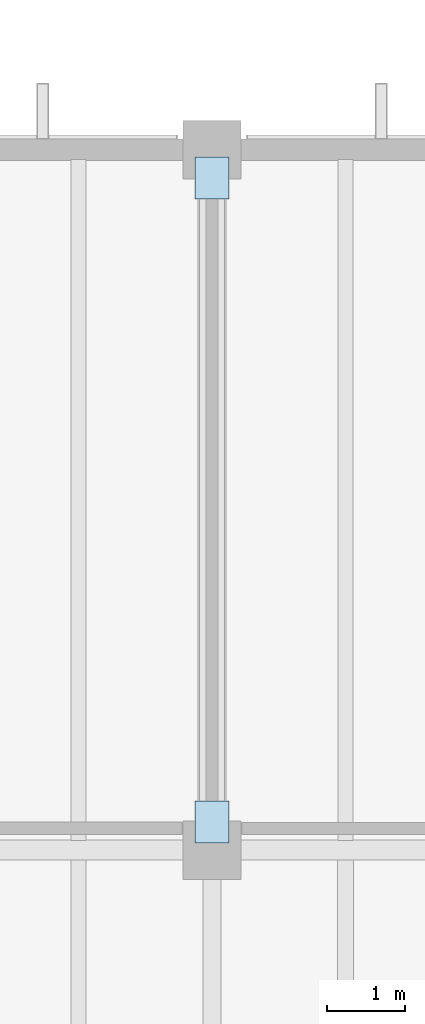
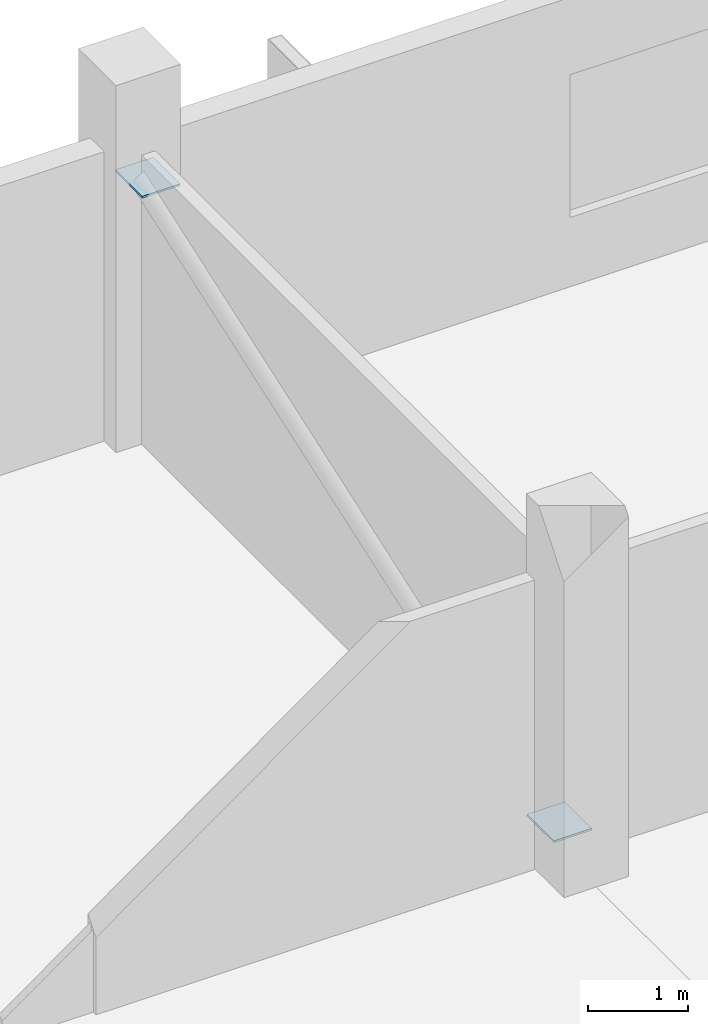
# One storey, part 54 of 78: 2 plates.
"""IFC4 building model written with IfcOpenShell, lengths in metres."""

import ifcopenshell
import ifcopenshell.guid

model = None  # the IFC model being written
_history = None  # IfcOwnerHistory: only IFC2X3 demands one
_inside = {}  # id of a spatial element -> (the spatial element, [elements in it])
_under = {}  # id of a project, library or spatial element -> (it, [spatial elements below it])
_declared = {}  # id of a project -> (the project, [libraries it declares])
_typed = {}  # id of a type object -> (the type object, [elements of that type])
_made_of = {}  # id of a material, layer set ... -> (it, [elements and type objects made of it])


def new_model(schema):
    """Start an empty IFC model of exactly this schema.

    Asked for "IFC4X3", IfcOpenShell would pick the latest addendum, in which some entities
    have other attributes; the version numbers below select the first issue.
    IFC2X3 requires an IfcOwnerHistory on every rooted entity: one is made here for all.
    """
    global model, _history
    if schema == "IFC4X3":
        model = ifcopenshell.file(schema_version=(4, 3, 0, 0))
    else:
        model = ifcopenshell.file(schema=schema)
    _inside.clear()
    _under.clear()
    _declared.clear()
    _typed.clear()
    _made_of.clear()
    _history = None
    if model.schema == "IFC2X3":
        org = make("IfcOrganization", Name="unknown")
        user = make(
            "IfcPersonAndOrganization",
            ThePerson=make("IfcPerson", FamilyName="unknown"),
            TheOrganization=org,
        )
        app = make(
            "IfcApplication",
            ApplicationDeveloper=org,
            Version="unknown",
            ApplicationFullName="unknown",
            ApplicationIdentifier="unknown",
        )
        _history = make(
            "IfcOwnerHistory",
            OwningUser=user,
            OwningApplication=app,
            ChangeAction="ADDED",
            CreationDate=0,
        )
    return model


def make(cls, **values):
    """One entity of the class cls with the attributes given. An attribute that is None is left unset."""
    return model.create_entity(
        cls, **{name: value for name, value in values.items() if value is not None}
    )


def rooted(cls, **values):
    """An entity with a GlobalId (a new one), such as an element, a storey or a relation."""
    return make(cls, GlobalId=ifcopenshell.guid.new(), OwnerHistory=_history, **values)


def si_unit(unit_type, name, prefix=None):
    """IfcSIUnit, for example si_unit("LENGTHUNIT", "METRE", prefix="MILLI")."""
    return make("IfcSIUnit", UnitType=unit_type, Prefix=prefix, Name=name)


def assignment(units):
    """IfcUnitAssignment: the units of a project."""
    return None if units is None else make("IfcUnitAssignment", Units=units)


def point(xyz):
    """IfcCartesianPoint."""
    return None if xyz is None else make("IfcCartesianPoint", Coordinates=xyz)


def direction(xyz):
    """IfcDirection."""
    return None if xyz is None else make("IfcDirection", DirectionRatios=xyz)


def frame(location, z_axis=None, x_axis=None):
    """IfcAxis2Placement3D, a coordinate frame: its origin and axes. An axis left out is left unset."""
    return make(
        "IfcAxis2Placement3D",
        Location=point(location),
        Axis=direction(z_axis),
        RefDirection=direction(x_axis),
    )


def frame_2d(location, x_axis=None):
    """IfcAxis2Placement2D, a coordinate frame in the plane: its origin and x axis."""
    return make(
        "IfcAxis2Placement2D", Location=point(location), RefDirection=direction(x_axis)
    )


def origin():
    """The frame at (0, 0, 0) with its axes left unset."""
    return frame((0.0, 0.0, 0.0))


def origin_2d():
    """The frame at (0, 0) in the plane with its x axis left unset."""
    return frame_2d((0.0, 0.0))


def place(relative_to, where):
    """IfcLocalPlacement: puts the frame where relative to a parent placement (None: the world)."""
    return make(
        "IfcLocalPlacement", PlacementRelTo=relative_to, RelativePlacement=where
    )


def context(
    kind, dimensions, precision=None, world=None, true_north=None, identifier=None
):
    """IfcGeometricRepresentationContext, for example the 3D "Model" context."""
    return make(
        "IfcGeometricRepresentationContext",
        ContextIdentifier=identifier,
        ContextType=kind,
        CoordinateSpaceDimension=dimensions,
        Precision=precision,
        WorldCoordinateSystem=world,
        TrueNorth=true_north,
    )


def subcontext(parent, identifier, kind, view, scale=None):
    """IfcGeometricRepresentationSubContext, for example "Body" below "Model"."""
    return make(
        "IfcGeometricRepresentationSubContext",
        ContextIdentifier=identifier,
        ContextType=kind,
        ParentContext=parent,
        TargetScale=scale,
        TargetView=view,
    )


def project(units=None, contexts=None):
    """IfcProject with its units and contexts."""
    return rooted(
        "IfcProject",
        Name="project",
        RepresentationContexts=contexts,
        UnitsInContext=assignment(units),
    )


def spatial(cls, under=None, at=None, **own):
    """A site, building, storey or space (cls), placed at a placement, below another one or the project."""
    s = rooted(cls, ObjectPlacement=at, **own)
    if under is not None:
        _under.setdefault(under.id(), (under, []))[1].append(s)
    return s


def profile(cls, at=None, kind="AREA", **sizes):
    """A parametric profile (cls). Its sizes go by their IFC names, for example OverallWidth=200.0."""
    return make(cls, ProfileType=kind, Position=at, **sizes)


def rectangle(**sizes):
    """IfcRectangleProfileDef."""
    return profile("IfcRectangleProfileDef", **sizes)


def extrude(swept, where, along, depth):
    """IfcExtrudedAreaSolid: the profile swept, set in the frame where, extruded along a direction by depth."""
    return make(
        "IfcExtrudedAreaSolid",
        SweptArea=swept,
        Position=where,
        ExtrudedDirection=direction(along),
        Depth=depth,
    )


def shape(context_of_items, identifier, shape_type, items):
    """IfcShapeRepresentation: the items that make up one representation, for example the "Body"."""
    return make(
        "IfcShapeRepresentation",
        ContextOfItems=context_of_items,
        RepresentationIdentifier=identifier,
        RepresentationType=shape_type,
        Items=items,
    )


def material(Name=None, Category=None):
    """IfcMaterial."""
    return make("IfcMaterial", Name=Name, Category=Category)


def layer(
    of_material, thickness, ventilated=None, Name=None, Category=None, Priority=None
):
    """IfcMaterialLayer: one layer of a wall or slab, of a material (None: an air gap)."""
    return make(
        "IfcMaterialLayer",
        Material=of_material,
        LayerThickness=thickness,
        IsVentilated=ventilated,
        Name=Name,
        Category=Category,
        Priority=Priority,
    )


def layer_set(layers, Name=None):
    """IfcMaterialLayerSet."""
    return make("IfcMaterialLayerSet", MaterialLayers=layers, LayerSetName=Name)


def made_of(thing, what):
    """Note that an element or type object is made of a material, layer set ...; save() writes the relation."""
    if what is not None:
        _made_of.setdefault(what.id(), (what, []))[1].append(thing)
    return thing


def type_object(cls, material=None, **own):
    """A type object (cls), such as IfcWallType, which elements share."""
    return made_of(rooted(cls, **own), material)


def element(
    cls,
    number,
    at=None,
    inside=None,
    cuts=None,
    type_object=None,
    material=None,
    context=None,
    identifier="Body",
    shape_type=None,
    held_by="IfcProductDefinitionShape",
    body=None,
    shapes=None,
    **own,
):
    """One element of the class cls, such as IfcWall. Its Tag is "e" and its number.

    at: its placement. inside: the storey or other place that contains it. cuts: it is an
    opening in that element (IfcRelVoidsElement). A single representation is given by context,
    identifier, shape_type and body (its items); several are given by shapes. held_by: the class
    of the entity that holds the representations. save() writes the other relations.
    """
    e = rooted(cls, Tag="e%d" % number, ObjectPlacement=at, **own)
    if body is not None:
        shapes = [shape(context, identifier, shape_type, body)]
    if shapes is not None:
        e.Representation = make(held_by, Representations=shapes)
    if inside is not None:
        _inside.setdefault(inside.id(), (inside, []))[1].append(e)
    if cuts is not None:
        rooted(
            "IfcRelVoidsElement", RelatingBuildingElement=cuts, RelatedOpeningElement=e
        )
    if type_object is not None:
        _typed.setdefault(type_object.id(), (type_object, []))[1].append(e)
    return made_of(e, material)


def aggregate(whole, parts):
    """IfcRelAggregates: a whole, such as a stair, and the parts it consists of."""
    return rooted("IfcRelAggregates", RelatingObject=whole, RelatedObjects=parts)


def save(model, path):
    """Write the relations noted so far, then the file.

    IfcRelAggregates (storeys below a building ...), IfcRelContainedInSpatialStructure (elements
    in a storey), IfcRelDefinesByType, IfcRelAssociatesMaterial and IfcRelDeclares: one each for
    every whole, place, type object, material and project.
    """
    for whole, parts in _under.values():
        aggregate(whole, parts)
    for where, things in _inside.values():
        rooted(
            "IfcRelContainedInSpatialStructure",
            RelatedElements=things,
            RelatingStructure=where,
        )
    for kind, things in _typed.values():
        rooted("IfcRelDefinesByType", RelatedObjects=things, RelatingType=kind)
    for what, things in _made_of.values():
        rooted("IfcRelAssociatesMaterial", RelatedObjects=things, RelatingMaterial=what)
    for by, libraries in _declared.values():
        rooted("IfcRelDeclares", RelatingContext=by, RelatedDefinitions=libraries)
    model.write(path)


model = new_model("IFC4")

# Units and contexts
model_context = context("Model", 3, precision=1e-05, world=origin(), true_north=direction((0.0, 1.0)))
body_context = subcontext(model_context, "Body", "Model", "MODEL_VIEW")
ifc_project = project(units=[si_unit("LENGTHUNIT", "METRE"), si_unit("AREAUNIT", "SQUARE_METRE"), si_unit("VOLUMEUNIT", "CUBIC_METRE"), si_unit("PLANEANGLEUNIT", "RADIAN"), si_unit("MASSUNIT", "GRAM", prefix="KILO")], contexts=[model_context])

# Site, building, storey
site_placement = place(None, origin())
site = spatial("IfcSite", under=ifc_project, at=site_placement, CompositionType="ELEMENT")
building_placement = place(site_placement, origin())
building = spatial("IfcBuilding", under=site, at=building_placement, Name="Kelmvaro Bay Concert Hall", CompositionType="ELEMENT")
storey_placement = place(building_placement, frame((0.0, 0.0, 9.300048828125)))
storey = spatial("IfcBuildingStorey", under=building, at=storey_placement, Name="L02", CompositionType="ELEMENT", Elevation=9.300048828125)

# Plates
ifc_material = material(Name="Steel ASTM A572 Grade 50", Category="steel")
ifc_layer = layer(ifc_material, 0.02392578125)
ifc_layer_set = layer_set([ifc_layer], Name="Steel ASTM A572 Grade 50")
plate_type = type_object("IfcPlateType", Name="Lateral Brace Node Gusset Plate 540x440x24", PredefinedType="SHEET", material=ifc_layer_set)
for number, where, z_axis, x_axis, name in (
    (1, (156.0, 30.364501953125, 0.33447265625), (0.0, 0.0, 1.0), (0.0, 1.0, 0.0), "L02 Lateral Diagonal Brace V4-EM End Cap Plate 1 (ND-04)"),
    (2, (156.0, 38.635498046875, 3.2216796875), (0.0, 0.0, 1.0), (0.0, 1.0, 0.0), "L02 Lateral Diagonal Brace V4-EM End Cap Plate 2 (ND-04)"),
):
    element("IfcPlate", number, at=place(storey_placement, frame(where, z_axis=z_axis, x_axis=x_axis)), inside=storey, type_object=plate_type, Name=name, PredefinedType="SHEET", context=body_context, shape_type="SweptSolid", body=[
        extrude(rectangle(XDim=0.5400390625, YDim=0.43994140625, at=origin_2d()), origin(), (0.0, 0.0, 1.0), 0.02392578125),
    ])

save(model, "model.ifc")
